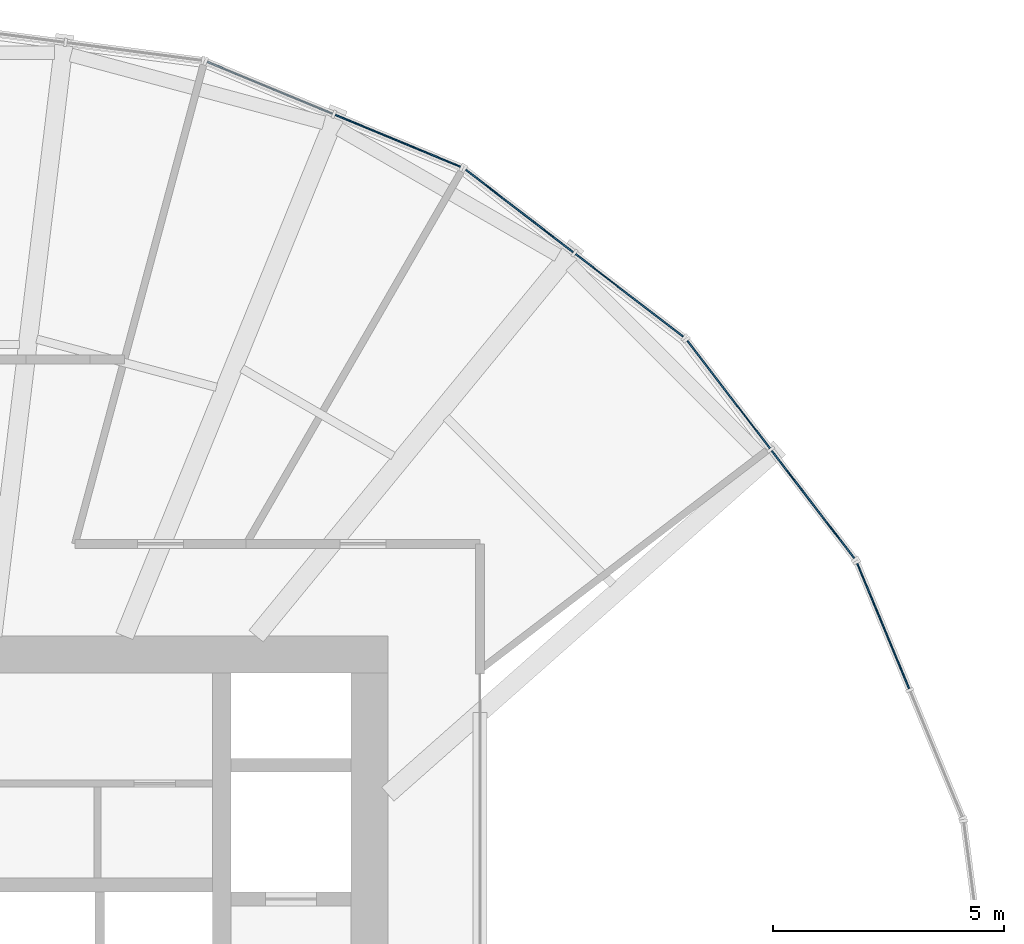
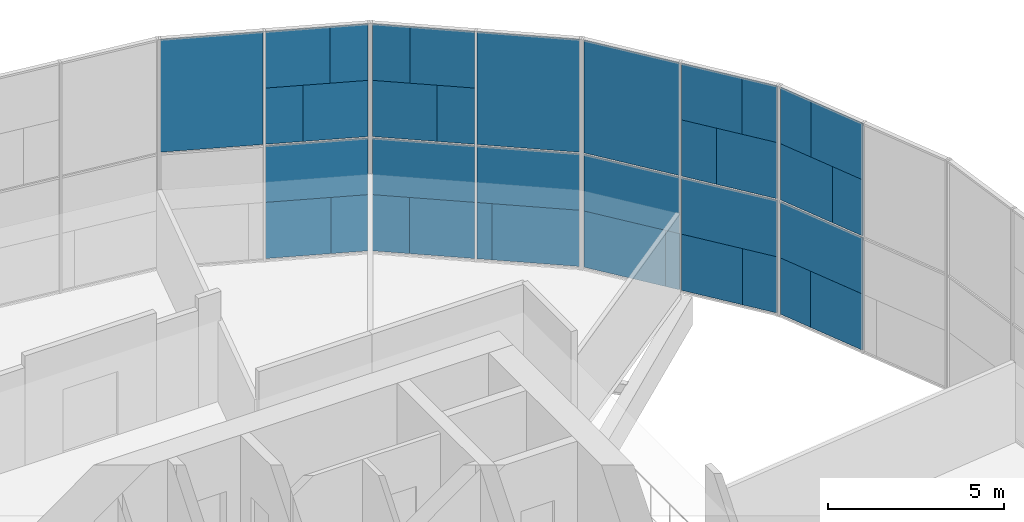
# One storey, part 14 of 18: 37 plates, 4 elements without a shape of their own.
"""IFC4 building model written with IfcOpenShell, lengths in metres."""

from ifc_helpers import new_model, si_unit, direction, frame, origin, origin_2d, place, context, subcontext, project, spatial, rectangle, extrude, material, layer, layer_set, type_object, element, aggregate, save


model = new_model("IFC4")

# Units and contexts
model_context = context("Model", 3, precision=1e-05, world=origin(), true_north=direction((0.0, 1.0)))
body_context = subcontext(model_context, "Body", "Model", "MODEL_VIEW")
ifc_project = project(units=[si_unit("LENGTHUNIT", "METRE"), si_unit("AREAUNIT", "SQUARE_METRE"), si_unit("VOLUMEUNIT", "CUBIC_METRE"), si_unit("PLANEANGLEUNIT", "RADIAN"), si_unit("MASSUNIT", "GRAM", prefix="KILO")], contexts=[model_context])

# Site, building, storey
site_placement = place(None, origin())
site = spatial("IfcSite", under=ifc_project, at=site_placement, CompositionType="ELEMENT")
building_placement = place(site_placement, origin())
building = spatial("IfcBuilding", under=site, at=building_placement, Name="Golbaran Civic Tower", CompositionType="ELEMENT")
storey_placement = place(building_placement, frame((0.0, 0.0, 45.0)))
storey = spatial("IfcBuildingStorey", under=building, at=storey_placement, Name="L10", CompositionType="ELEMENT", Elevation=45.0)

# Curtain wall, plates
ifc_material_1 = material(Name="Aluminium and glass", Category="aluminium")
curtain_wall_type = type_object("IfcCurtainWallType", Name="INNER SKIN CURTAIN WALL", PredefinedType="NOTDEFINED", material=ifc_material_1)
curtain_wall_1_placement = place(storey_placement, origin())
curtain_wall_1 = element("IfcCurtainWall", 1, at=curtain_wall_1_placement, inside=storey, type_object=curtain_wall_type, Name="Inner skin L10 facet 2 CW1", ObjectType="INNER SKIN", PredefinedType="USERDEFINED")
ifc_material_2 = material(Name="Clear insulating glass", Category="glass")
ifc_layer_1 = layer(ifc_material_2, 0.031982421875, Name="Clear insulating glass")
ifc_layer_set_1 = layer_set([ifc_layer_1], Name="Clear insulating glass")
plate_type_1 = type_object("IfcPlateType", Name="INNER SKIN CURTAIN WALL GLAZED PANEL", PredefinedType="CURTAIN_PANEL", material=ifc_layer_set_1)
plate_1_placement = place(storey_placement, frame((20.380859375, 11.086181640625, 0.06494140625), z_axis=(0.0, 0.0, 1.0), x_axis=(-0.38268343251, 0.923879532451, 0.0)))
plate_1 = element("IfcPlate", 2, at=plate_1_placement, type_object=plate_type_1, Name="CW1 panel 2.1 part 2", PredefinedType="CURTAIN_PANEL", context=body_context, shape_type="SweptSolid", body=[
    extrude(rectangle(XDim=1.05908203125, YDim=0.031982421875, at=origin_2d()), origin(), (0.0, 0.0, 1.0), 1.951171875),
])
plate_2_placement = place(storey_placement, frame((21.09619140625, 9.359130859375, 4.032470703125), z_axis=(0.0, 0.0, 1.0), x_axis=(-0.38268343251, 0.923879532451, 0.0)))
plate_2 = element("IfcPlate", 3, at=plate_2_placement, type_object=plate_type_1, Name="CW1 panel 2.2 part 1", PredefinedType="CURTAIN_PANEL", context=body_context, shape_type="SweptSolid", body=[
    extrude(rectangle(XDim=1.08203125, YDim=0.031982421875, at=origin_2d()), origin(), (0.0, 0.0, 1.0), 1.951171875),
])
plate_3_placement = place(storey_placement, frame((20.947998046875, 9.717041015625, 5.98388671875), z_axis=(0.0, 0.0, 1.0), x_axis=(-0.38268343251, 0.923879532451, 0.0)))
plate_3 = element("IfcPlate", 4, at=plate_3_placement, type_object=plate_type_1, Name="CW1 panel 2.2 part 3", PredefinedType="CURTAIN_PANEL", context=body_context, shape_type="SweptSolid", body=[
    extrude(rectangle(XDim=1.85693359375, YDim=0.031982421875, at=origin_2d()), origin(), (0.0, 0.0, 1.0), 1.951171875),
])

curtain_wall_2_placement = place(storey_placement, origin())
curtain_wall_2 = element("IfcCurtainWall", 5, at=curtain_wall_2_placement, inside=storey, type_object=curtain_wall_type, Name="Inner skin L10 facet 3 CW1", ObjectType="INNER SKIN", PredefinedType="USERDEFINED")
plate_4_placement = place(storey_placement, frame((19.791259765625, 12.107177734375, 0.06494140625), z_axis=(0.0, 0.0, 1.0), x_axis=(-0.608761428953, 0.793353340334, 0.0)))
plate_4 = element("IfcPlate", 6, at=plate_4_placement, type_object=plate_type_1, Name="CW1 panel 1.1 part 1", PredefinedType="CURTAIN_PANEL", context=body_context, shape_type="SweptSolid", body=[
    extrude(rectangle(XDim=1.05908203125, YDim=0.031982421875, at=origin_2d()), origin(), (0.0, 0.0, 1.0), 1.951171875),
])
plate_5_placement = place(storey_placement, frame((18.6533203125, 13.59033203125, 4.032470703125), z_axis=(0.0, 0.0, 1.0), x_axis=(-0.608761428953, 0.793353340334, 0.0)))
plate_5 = element("IfcPlate", 7, at=plate_5_placement, type_object=plate_type_1, Name="CW1 panel 1.2 part 2", PredefinedType="CURTAIN_PANEL", context=body_context, shape_type="SweptSolid", body=[
    extrude(rectangle(XDim=1.08203125, YDim=0.031982421875, at=origin_2d()), origin(), (0.0, 0.0, 1.0), 1.951171875),
])
plate_6_placement = place(storey_placement, frame((18.88916015625, 13.282958984375, 5.98388671875), z_axis=(0.0, 0.0, 1.0), x_axis=(-0.608761428953, 0.793353340334, 0.0)))
plate_6 = element("IfcPlate", 8, at=plate_6_placement, type_object=plate_type_1, Name="CW1 panel 1.2 part 4", PredefinedType="CURTAIN_PANEL", context=body_context, shape_type="SweptSolid", body=[
    extrude(rectangle(XDim=1.85693359375, YDim=0.031982421875, at=origin_2d()), origin(), (0.0, 0.0, 1.0), 1.951171875),
])
plate_7_placement = place(storey_placement, frame((17.260986328125, 15.40478515625, 0.06494140625), z_axis=(0.0, 0.0, 1.0), x_axis=(-0.608761428953, 0.793353340334, 0.0)))
plate_7 = element("IfcPlate", 9, at=plate_7_placement, type_object=plate_type_1, Name="CW1 panel 2.1 part 2", PredefinedType="CURTAIN_PANEL", context=body_context, shape_type="SweptSolid", body=[
    extrude(rectangle(XDim=2.51806640625, YDim=0.031982421875, at=origin_2d()), origin(), (0.0, 0.0, 1.0), 1.951171875),
])
plate_8_placement = place(storey_placement, frame((17.389404296875, 15.2373046875, 2.016357421875), z_axis=(0.0, 0.0, 1.0), x_axis=(-0.608761428953, 0.793353340334, 0.0)))
plate_8 = element("IfcPlate", 10, at=plate_8_placement, type_object=plate_type_1, Name="CW1 panel 2.1 part 3", PredefinedType="CURTAIN_PANEL", context=body_context, shape_type="SweptSolid", body=[
    extrude(rectangle(XDim=2.93994140625, YDim=0.031982421875, at=origin_2d()), origin(), (0.0, 0.0, 1.0), 1.951171875),
])
plate_9_placement = place(storey_placement, frame((17.389404296875, 15.2373046875, 4.0322265625), z_axis=(0.0, 0.0, 1.0), x_axis=(-0.608761428953, 0.793353340334, 0.0)))
plate_9 = element("IfcPlate", 11, at=plate_9_placement, type_object=plate_type_1, Name="CW1 panel 2.2", PredefinedType="CURTAIN_PANEL", context=body_context, shape_type="SweptSolid", body=[
    extrude(rectangle(XDim=2.93994140625, YDim=0.031982421875, at=origin_2d()), origin(), (0.0, 0.0, 1.0), 3.902587890625),
])

curtain_wall_3_placement = place(storey_placement, origin())
curtain_wall_3 = element("IfcCurtainWall", 12, at=curtain_wall_3_placement, inside=storey, type_object=curtain_wall_type, Name="Inner skin L10 facet 4 CW1", ObjectType="INNER SKIN", PredefinedType="USERDEFINED")
plate_10_placement = place(storey_placement, frame((15.40478515625, 17.260986328125, 0.06494140625), z_axis=(0.0, 0.0, 1.0), x_axis=(-0.793353340334, 0.608761428953, 0.0)))
plate_10 = element("IfcPlate", 13, at=plate_10_placement, type_object=plate_type_1, Name="CW1 panel 1.1 part 1", PredefinedType="CURTAIN_PANEL", context=body_context, shape_type="SweptSolid", body=[
    extrude(rectangle(XDim=2.51806640625, YDim=0.031982421875, at=origin_2d()), origin(), (0.0, 0.0, 1.0), 1.951171875),
])
plate_11_placement = place(storey_placement, frame((15.2373046875, 17.389404296875, 2.016357421875), z_axis=(0.0, 0.0, 1.0), x_axis=(-0.793353340334, 0.608761428953, 0.0)))
plate_11 = element("IfcPlate", 14, at=plate_11_placement, type_object=plate_type_1, Name="CW1 panel 1.1 part 3", PredefinedType="CURTAIN_PANEL", context=body_context, shape_type="SweptSolid", body=[
    extrude(rectangle(XDim=2.93994140625, YDim=0.031982421875, at=origin_2d()), origin(), (0.0, 0.0, 1.0), 1.951171875),
])
plate_12_placement = place(storey_placement, frame((15.2373046875, 17.389404296875, 4.0322265625), z_axis=(0.0, 0.0, 1.0), x_axis=(-0.793353340334, 0.608761428953, 0.0)))
plate_12 = element("IfcPlate", 15, at=plate_12_placement, type_object=plate_type_1, Name="CW1 panel 1.2", PredefinedType="CURTAIN_PANEL", context=body_context, shape_type="SweptSolid", body=[
    extrude(rectangle(XDim=2.93994140625, YDim=0.031982421875, at=origin_2d()), origin(), (0.0, 0.0, 1.0), 3.902587890625),
])
plate_13_placement = place(storey_placement, frame((12.107177734375, 19.791259765625, 0.06494140625), z_axis=(0.0, 0.0, 1.0), x_axis=(-0.793353340334, 0.608761428953, 0.0)))
plate_13 = element("IfcPlate", 16, at=plate_13_placement, type_object=plate_type_1, Name="CW1 panel 2.1 part 2", PredefinedType="CURTAIN_PANEL", context=body_context, shape_type="SweptSolid", body=[
    extrude(rectangle(XDim=1.05908203125, YDim=0.031982421875, at=origin_2d()), origin(), (0.0, 0.0, 1.0), 1.951171875),
])
plate_14_placement = place(storey_placement, frame((13.59033203125, 18.6533203125, 4.032470703125), z_axis=(0.0, 0.0, 1.0), x_axis=(-0.793353340334, 0.608761428953, 0.0)))
plate_14 = element("IfcPlate", 17, at=plate_14_placement, type_object=plate_type_1, Name="CW1 panel 2.2 part 1", PredefinedType="CURTAIN_PANEL", context=body_context, shape_type="SweptSolid", body=[
    extrude(rectangle(XDim=1.08203125, YDim=0.031982421875, at=origin_2d()), origin(), (0.0, 0.0, 1.0), 1.951171875),
])
plate_15_placement = place(storey_placement, frame((13.282958984375, 18.88916015625, 5.98388671875), z_axis=(0.0, 0.0, 1.0), x_axis=(-0.793353340334, 0.608761428953, 0.0)))
plate_15 = element("IfcPlate", 18, at=plate_15_placement, type_object=plate_type_1, Name="CW1 panel 2.2 part 3", PredefinedType="CURTAIN_PANEL", context=body_context, shape_type="SweptSolid", body=[
    extrude(rectangle(XDim=1.85693359375, YDim=0.031982421875, at=origin_2d()), origin(), (0.0, 0.0, 1.0), 1.951171875),
])

curtain_wall_4_placement = place(storey_placement, origin())
curtain_wall_4 = element("IfcCurtainWall", 19, at=curtain_wall_4_placement, inside=storey, type_object=curtain_wall_type, Name="Inner skin L10 facet 5 CW1", ObjectType="INNER SKIN", PredefinedType="USERDEFINED")
plate_16_placement = place(storey_placement, frame((11.086181640625, 20.380859375, 0.06494140625), z_axis=(0.0, 0.0, 1.0), x_axis=(-0.923879532451, 0.38268343251, 0.0)))
plate_16 = element("IfcPlate", 20, at=plate_16_placement, type_object=plate_type_1, Name="CW1 panel 1.1 part 1", PredefinedType="CURTAIN_PANEL", context=body_context, shape_type="SweptSolid", body=[
    extrude(rectangle(XDim=1.05908203125, YDim=0.031982421875, at=origin_2d()), origin(), (0.0, 0.0, 1.0), 1.951171875),
])
plate_17_placement = place(storey_placement, frame((9.359130859375, 21.09619140625, 4.032470703125), z_axis=(0.0, 0.0, 1.0), x_axis=(-0.923879532451, 0.38268343251, 0.0)))
plate_17 = element("IfcPlate", 21, at=plate_17_placement, type_object=plate_type_1, Name="CW1 panel 1.2 part 2", PredefinedType="CURTAIN_PANEL", context=body_context, shape_type="SweptSolid", body=[
    extrude(rectangle(XDim=1.08203125, YDim=0.031982421875, at=origin_2d()), origin(), (0.0, 0.0, 1.0), 1.951171875),
])
plate_18_placement = place(storey_placement, frame((9.717041015625, 20.947998046875, 5.98388671875), z_axis=(0.0, 0.0, 1.0), x_axis=(-0.923879532451, 0.38268343251, 0.0)))
plate_18 = element("IfcPlate", 22, at=plate_18_placement, type_object=plate_type_1, Name="CW1 panel 1.2 part 4", PredefinedType="CURTAIN_PANEL", context=body_context, shape_type="SweptSolid", body=[
    extrude(rectangle(XDim=1.85693359375, YDim=0.031982421875, at=origin_2d()), origin(), (0.0, 0.0, 1.0), 1.951171875),
])
plate_19_placement = place(storey_placement, frame((7.441162109375, 21.890625, 4.0322265625), z_axis=(0.0, 0.0, 1.0), x_axis=(-0.923879532451, 0.38268343251, 0.0)))
plate_19 = element("IfcPlate", 23, at=plate_19_placement, type_object=plate_type_1, Name="CW1 panel 2.2", PredefinedType="CURTAIN_PANEL", context=body_context, shape_type="SweptSolid", body=[
    extrude(rectangle(XDim=2.93994140625, YDim=0.031982421875, at=origin_2d()), origin(), (0.0, 0.0, 1.0), 3.902587890625),
])

# Plate
ifc_material_3 = material(Name="Aluminium faced opaque infill panel", Category="aluminium")
ifc_layer_2 = layer(ifc_material_3, 0.031982421875, Name="Aluminium faced opaque infill panel")
ifc_layer_set_2 = layer_set([ifc_layer_2], Name="Aluminium faced opaque infill panel")
plate_type_2 = type_object("IfcPlateType", Name="INNER SKIN CURTAIN WALL OPAQUE INFILL PANEL", PredefinedType="CURTAIN_PANEL", material=ifc_layer_set_2)
plate_20_placement = place(storey_placement, frame((20.943359375, 9.728271484375, 0.06494140625), z_axis=(0.0, 0.0, 1.0), x_axis=(-0.38268343251, 0.923879532451, 0.0)))
plate_20 = element("IfcPlate", 24, at=plate_20_placement, type_object=plate_type_2, Name="CW1 infill panel 2.1 part 1", PredefinedType="CURTAIN_PANEL", context=body_context, shape_type="SweptSolid", body=[
    extrude(rectangle(XDim=1.881103515625, YDim=0.031982421875, at=origin_2d()), origin(), (0.0, 0.0, 1.0), 1.951171875),
])

plate_21_placement = place(storey_placement, frame((20.74072265625, 10.21728515625, 2.016357421875), z_axis=(0.0, 0.0, 1.0), x_axis=(-0.38268343251, 0.923879532451, 0.0)))
plate_21 = element("IfcPlate", 25, at=plate_21_placement, type_object=plate_type_2, Name="CW1 infill panel 2.1 part 3", PredefinedType="CURTAIN_PANEL", context=body_context, shape_type="SweptSolid", body=[
    extrude(rectangle(XDim=2.93994140625, YDim=0.031982421875, at=origin_2d()), origin(), (0.0, 0.0, 1.0), 1.951171875),
])

plate_22_placement = place(storey_placement, frame((20.53369140625, 10.71728515625, 4.032470703125), z_axis=(0.0, 0.0, 1.0), x_axis=(-0.38268343251, 0.923879532451, 0.0)))
plate_22 = element("IfcPlate", 26, at=plate_22_placement, type_object=plate_type_2, Name="CW1 infill panel 2.2 part 2", PredefinedType="CURTAIN_PANEL", context=body_context, shape_type="SweptSolid", body=[
    extrude(rectangle(XDim=1.85791015625, YDim=0.031982421875, at=origin_2d()), origin(), (0.0, 0.0, 1.0), 1.951171875),
])

plate_23_placement = place(storey_placement, frame((20.38525390625, 11.0751953125, 5.98388671875), z_axis=(0.0, 0.0, 1.0), x_axis=(-0.38268343251, 0.923879532451, 0.0)))
plate_23 = element("IfcPlate", 27, at=plate_23_placement, type_object=plate_type_2, Name="CW1 infill panel 2.2 part 4", PredefinedType="CURTAIN_PANEL", context=body_context, shape_type="SweptSolid", body=[
    extrude(rectangle(XDim=1.0830078125, YDim=0.031982421875, at=origin_2d()), origin(), (0.0, 0.0, 1.0), 1.951171875),
])

aggregate(curtain_wall_1, [plate_20, plate_1, plate_21, plate_2, plate_22, plate_3, plate_23])

plate_24_placement = place(storey_placement, frame((18.896484375, 13.2734375, 0.06494140625), z_axis=(0.0, 0.0, 1.0), x_axis=(-0.608761428953, 0.793353340334, 0.0)))
plate_24 = element("IfcPlate", 28, at=plate_24_placement, type_object=plate_type_2, Name="CW1 infill panel 1.1 part 2", PredefinedType="CURTAIN_PANEL", context=body_context, shape_type="SweptSolid", body=[
    extrude(rectangle(XDim=1.880859375, YDim=0.031982421875, at=origin_2d()), origin(), (0.0, 0.0, 1.0), 1.951171875),
])

plate_25_placement = place(storey_placement, frame((19.21875, 12.853271484375, 2.016357421875), z_axis=(0.0, 0.0, 1.0), x_axis=(-0.608761428953, 0.793353340334, 0.0)))
plate_25 = element("IfcPlate", 29, at=plate_25_placement, type_object=plate_type_2, Name="CW1 infill panel 1.1 part 3", PredefinedType="CURTAIN_PANEL", context=body_context, shape_type="SweptSolid", body=[
    extrude(rectangle(XDim=2.93994140625, YDim=0.031982421875, at=origin_2d()), origin(), (0.0, 0.0, 1.0), 1.951171875),
])

plate_26_placement = place(storey_placement, frame((19.548095703125, 12.424072265625, 4.032470703125), z_axis=(0.0, 0.0, 1.0), x_axis=(-0.608761428953, 0.793353340334, 0.0)))
plate_26 = element("IfcPlate", 30, at=plate_26_placement, type_object=plate_type_2, Name="CW1 infill panel 1.2 part 1", PredefinedType="CURTAIN_PANEL", context=body_context, shape_type="SweptSolid", body=[
    extrude(rectangle(XDim=1.85791015625, YDim=0.031982421875, at=origin_2d()), origin(), (0.0, 0.0, 1.0), 1.951171875),
])

plate_27_placement = place(storey_placement, frame((19.7841796875, 12.11669921875, 5.98388671875), z_axis=(0.0, 0.0, 1.0), x_axis=(-0.608761428953, 0.793353340334, 0.0)))
plate_27 = element("IfcPlate", 31, at=plate_27_placement, type_object=plate_type_2, Name="CW1 infill panel 1.2 part 3", PredefinedType="CURTAIN_PANEL", context=body_context, shape_type="SweptSolid", body=[
    extrude(rectangle(XDim=1.0830078125, YDim=0.031982421875, at=origin_2d()), origin(), (0.0, 0.0, 1.0), 1.951171875),
])

plate_28_placement = place(storey_placement, frame((18.156005859375, 14.238525390625, 0.06494140625), z_axis=(0.0, 0.0, 1.0), x_axis=(-0.608761428953, 0.793353340334, 0.0)))
plate_28 = element("IfcPlate", 32, at=plate_28_placement, type_object=plate_type_2, Name="CW1 infill panel 2.1 part 1", PredefinedType="CURTAIN_PANEL", context=body_context, shape_type="SweptSolid", body=[
    extrude(rectangle(XDim=0.422119140625, YDim=0.031982421875, at=origin_2d()), origin(), (0.0, 0.0, 1.0), 1.951171875),
])

aggregate(curtain_wall_2, [plate_4, plate_24, plate_25, plate_26, plate_5, plate_27, plate_6, plate_28, plate_7, plate_8, plate_9])

plate_29_placement = place(storey_placement, frame((14.238525390625, 18.156005859375, 0.06494140625), z_axis=(0.0, 0.0, 1.0), x_axis=(-0.793353340334, 0.608761428953, 0.0)))
plate_29 = element("IfcPlate", 33, at=plate_29_placement, type_object=plate_type_2, Name="CW1 infill panel 1.1 part 2", PredefinedType="CURTAIN_PANEL", context=body_context, shape_type="SweptSolid", body=[
    extrude(rectangle(XDim=0.421875, YDim=0.031982421875, at=origin_2d()), origin(), (0.0, 0.0, 1.0), 1.951171875),
])

plate_30_placement = place(storey_placement, frame((13.2734375, 18.896484375, 0.06494140625), z_axis=(0.0, 0.0, 1.0), x_axis=(-0.793353340334, 0.608761428953, 0.0)))
plate_30 = element("IfcPlate", 34, at=plate_30_placement, type_object=plate_type_2, Name="CW1 infill panel 2.1 part 1", PredefinedType="CURTAIN_PANEL", context=body_context, shape_type="SweptSolid", body=[
    extrude(rectangle(XDim=1.881103515625, YDim=0.031982421875, at=origin_2d()), origin(), (0.0, 0.0, 1.0), 1.951171875),
])

plate_31_placement = place(storey_placement, frame((12.853271484375, 19.21875, 2.016357421875), z_axis=(0.0, 0.0, 1.0), x_axis=(-0.793353340334, 0.608761428953, 0.0)))
plate_31 = element("IfcPlate", 35, at=plate_31_placement, type_object=plate_type_2, Name="CW1 infill panel 2.1 part 3", PredefinedType="CURTAIN_PANEL", context=body_context, shape_type="SweptSolid", body=[
    extrude(rectangle(XDim=2.93994140625, YDim=0.031982421875, at=origin_2d()), origin(), (0.0, 0.0, 1.0), 1.951171875),
])

plate_32_placement = place(storey_placement, frame((12.424072265625, 19.548095703125, 4.032470703125), z_axis=(0.0, 0.0, 1.0), x_axis=(-0.793353340334, 0.608761428953, 0.0)))
plate_32 = element("IfcPlate", 36, at=plate_32_placement, type_object=plate_type_2, Name="CW1 infill panel 2.2 part 2", PredefinedType="CURTAIN_PANEL", context=body_context, shape_type="SweptSolid", body=[
    extrude(rectangle(XDim=1.85791015625, YDim=0.031982421875, at=origin_2d()), origin(), (0.0, 0.0, 1.0), 1.951171875),
])

plate_33_placement = place(storey_placement, frame((12.11669921875, 19.7841796875, 5.98388671875), z_axis=(0.0, 0.0, 1.0), x_axis=(-0.793353340334, 0.608761428953, 0.0)))
plate_33 = element("IfcPlate", 37, at=plate_33_placement, type_object=plate_type_2, Name="CW1 infill panel 2.2 part 4", PredefinedType="CURTAIN_PANEL", context=body_context, shape_type="SweptSolid", body=[
    extrude(rectangle(XDim=1.0830078125, YDim=0.031982421875, at=origin_2d()), origin(), (0.0, 0.0, 1.0), 1.951171875),
])

aggregate(curtain_wall_3, [plate_10, plate_29, plate_11, plate_12, plate_30, plate_13, plate_31, plate_14, plate_32, plate_15, plate_33])

plate_34_placement = place(storey_placement, frame((9.728271484375, 20.943359375, 0.06494140625), z_axis=(0.0, 0.0, 1.0), x_axis=(-0.923879532451, 0.38268343251, 0.0)))
plate_34 = element("IfcPlate", 38, at=plate_34_placement, type_object=plate_type_2, Name="CW1 infill panel 1.1 part 2", PredefinedType="CURTAIN_PANEL", context=body_context, shape_type="SweptSolid", body=[
    extrude(rectangle(XDim=1.880859375, YDim=0.031982421875, at=origin_2d()), origin(), (0.0, 0.0, 1.0), 1.951171875),
])

plate_35_placement = place(storey_placement, frame((10.21728515625, 20.74072265625, 2.016357421875), z_axis=(0.0, 0.0, 1.0), x_axis=(-0.923879532451, 0.38268343251, 0.0)))
plate_35 = element("IfcPlate", 39, at=plate_35_placement, type_object=plate_type_2, Name="CW1 infill panel 1.1 part 3", PredefinedType="CURTAIN_PANEL", context=body_context, shape_type="SweptSolid", body=[
    extrude(rectangle(XDim=2.93994140625, YDim=0.031982421875, at=origin_2d()), origin(), (0.0, 0.0, 1.0), 1.951171875),
])

plate_36_placement = place(storey_placement, frame((10.71728515625, 20.53369140625, 4.032470703125), z_axis=(0.0, 0.0, 1.0), x_axis=(-0.923879532451, 0.38268343251, 0.0)))
plate_36 = element("IfcPlate", 40, at=plate_36_placement, type_object=plate_type_2, Name="CW1 infill panel 1.2 part 1", PredefinedType="CURTAIN_PANEL", context=body_context, shape_type="SweptSolid", body=[
    extrude(rectangle(XDim=1.85791015625, YDim=0.031982421875, at=origin_2d()), origin(), (0.0, 0.0, 1.0), 1.951171875),
])

plate_37_placement = place(storey_placement, frame((11.0751953125, 20.38525390625, 5.98388671875), z_axis=(0.0, 0.0, 1.0), x_axis=(-0.923879532451, 0.38268343251, 0.0)))
plate_37 = element("IfcPlate", 41, at=plate_37_placement, type_object=plate_type_2, Name="CW1 infill panel 1.2 part 3", PredefinedType="CURTAIN_PANEL", context=body_context, shape_type="SweptSolid", body=[
    extrude(rectangle(XDim=1.0830078125, YDim=0.031982421875, at=origin_2d()), origin(), (0.0, 0.0, 1.0), 1.951171875),
])

aggregate(curtain_wall_4, [plate_16, plate_34, plate_35, plate_36, plate_17, plate_37, plate_18, plate_19])

save(model, "model.ifc")
